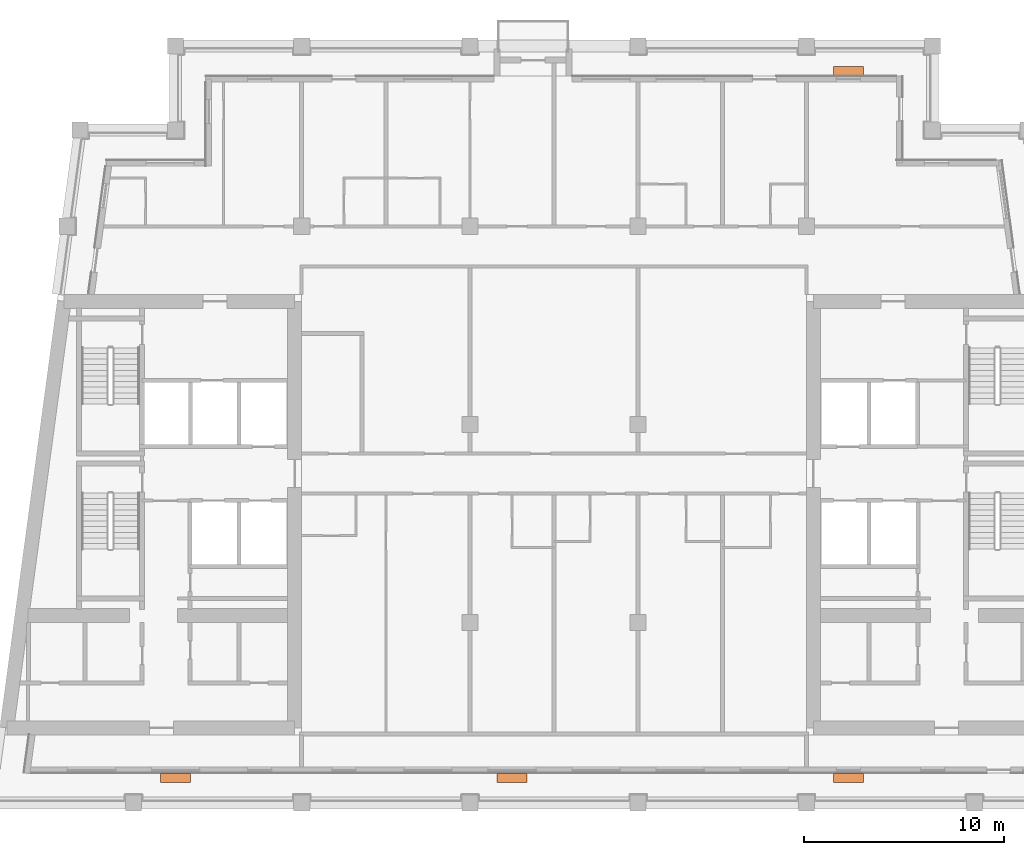
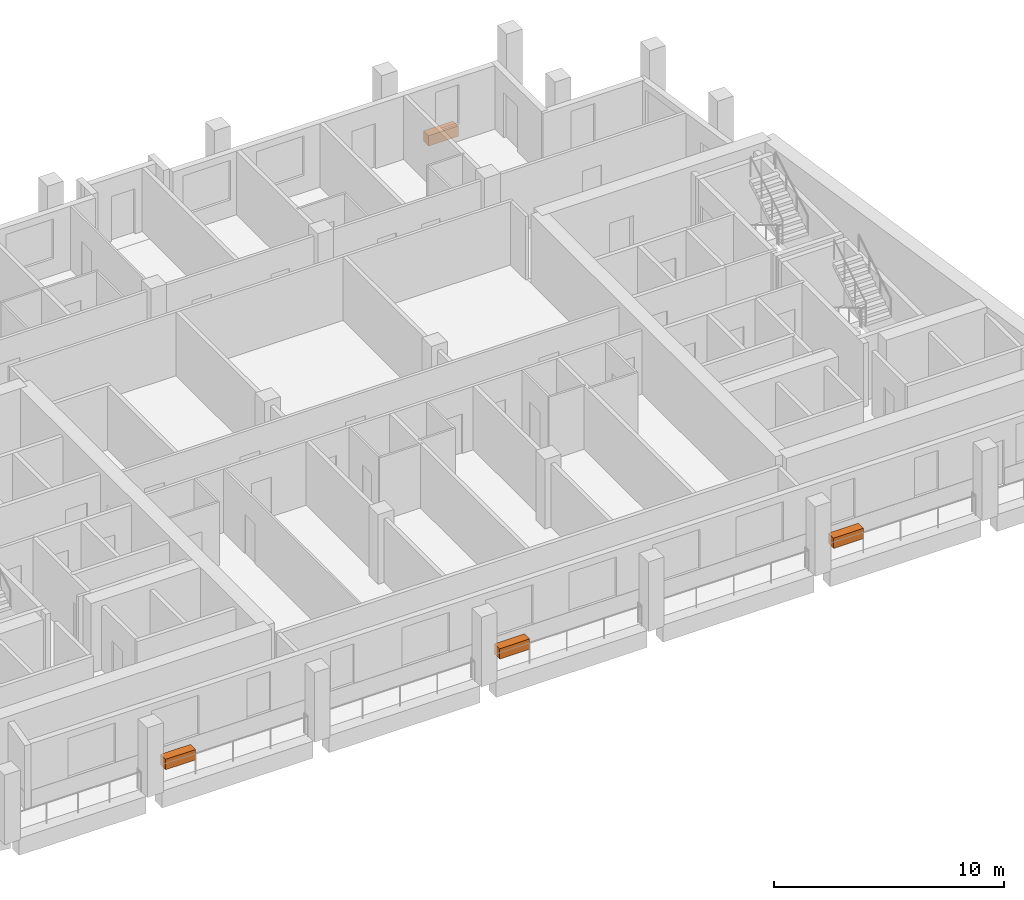
# One storey, part 14 of 14: 4 proxies.
"""IFC4 building model written with IfcOpenShell, lengths in metres."""

import ifcopenshell
import ifcopenshell.guid

model = None  # the IFC model being written
_history = None  # IfcOwnerHistory: only IFC2X3 demands one
_inside = {}  # id of a spatial element -> (the spatial element, [elements in it])
_under = {}  # id of a project, library or spatial element -> (it, [spatial elements below it])
_declared = {}  # id of a project -> (the project, [libraries it declares])
_typed = {}  # id of a type object -> (the type object, [elements of that type])
_made_of = {}  # id of a material, layer set ... -> (it, [elements and type objects made of it])


def new_model(schema):
    """Start an empty IFC model of exactly this schema.

    Asked for "IFC4X3", IfcOpenShell would pick the latest addendum, in which some entities
    have other attributes; the version numbers below select the first issue.
    IFC2X3 requires an IfcOwnerHistory on every rooted entity: one is made here for all.
    """
    global model, _history
    if schema == "IFC4X3":
        model = ifcopenshell.file(schema_version=(4, 3, 0, 0))
    else:
        model = ifcopenshell.file(schema=schema)
    _inside.clear()
    _under.clear()
    _declared.clear()
    _typed.clear()
    _made_of.clear()
    _history = None
    if model.schema == "IFC2X3":
        org = make("IfcOrganization", Name="unknown")
        user = make(
            "IfcPersonAndOrganization",
            ThePerson=make("IfcPerson", FamilyName="unknown"),
            TheOrganization=org,
        )
        app = make(
            "IfcApplication",
            ApplicationDeveloper=org,
            Version="unknown",
            ApplicationFullName="unknown",
            ApplicationIdentifier="unknown",
        )
        _history = make(
            "IfcOwnerHistory",
            OwningUser=user,
            OwningApplication=app,
            ChangeAction="ADDED",
            CreationDate=0,
        )
    return model


def make(cls, **values):
    """One entity of the class cls with the attributes given. An attribute that is None is left unset."""
    return model.create_entity(
        cls, **{name: value for name, value in values.items() if value is not None}
    )


def rooted(cls, **values):
    """An entity with a GlobalId (a new one), such as an element, a storey or a relation."""
    return make(cls, GlobalId=ifcopenshell.guid.new(), OwnerHistory=_history, **values)


def si_unit(unit_type, name, prefix=None):
    """IfcSIUnit, for example si_unit("LENGTHUNIT", "METRE", prefix="MILLI")."""
    return make("IfcSIUnit", UnitType=unit_type, Prefix=prefix, Name=name)


def assignment(units):
    """IfcUnitAssignment: the units of a project."""
    return None if units is None else make("IfcUnitAssignment", Units=units)


def point(xyz):
    """IfcCartesianPoint."""
    return None if xyz is None else make("IfcCartesianPoint", Coordinates=xyz)


def direction(xyz):
    """IfcDirection."""
    return None if xyz is None else make("IfcDirection", DirectionRatios=xyz)


def frame(location, z_axis=None, x_axis=None):
    """IfcAxis2Placement3D, a coordinate frame: its origin and axes. An axis left out is left unset."""
    return make(
        "IfcAxis2Placement3D",
        Location=point(location),
        Axis=direction(z_axis),
        RefDirection=direction(x_axis),
    )


def frame_2d(location, x_axis=None):
    """IfcAxis2Placement2D, a coordinate frame in the plane: its origin and x axis."""
    return make(
        "IfcAxis2Placement2D", Location=point(location), RefDirection=direction(x_axis)
    )


def origin():
    """The frame at (0, 0, 0) with its axes left unset."""
    return frame((0.0, 0.0, 0.0))


def origin_2d():
    """The frame at (0, 0) in the plane with its x axis left unset."""
    return frame_2d((0.0, 0.0))


def place(relative_to, where):
    """IfcLocalPlacement: puts the frame where relative to a parent placement (None: the world)."""
    return make(
        "IfcLocalPlacement", PlacementRelTo=relative_to, RelativePlacement=where
    )


def context(
    kind, dimensions, precision=None, world=None, true_north=None, identifier=None
):
    """IfcGeometricRepresentationContext, for example the 3D "Model" context."""
    return make(
        "IfcGeometricRepresentationContext",
        ContextIdentifier=identifier,
        ContextType=kind,
        CoordinateSpaceDimension=dimensions,
        Precision=precision,
        WorldCoordinateSystem=world,
        TrueNorth=true_north,
    )


def subcontext(parent, identifier, kind, view, scale=None):
    """IfcGeometricRepresentationSubContext, for example "Body" below "Model"."""
    return make(
        "IfcGeometricRepresentationSubContext",
        ContextIdentifier=identifier,
        ContextType=kind,
        ParentContext=parent,
        TargetScale=scale,
        TargetView=view,
    )


def project(units=None, contexts=None):
    """IfcProject with its units and contexts."""
    return rooted(
        "IfcProject",
        Name="project",
        RepresentationContexts=contexts,
        UnitsInContext=assignment(units),
    )


def spatial(cls, under=None, at=None, **own):
    """A site, building, storey or space (cls), placed at a placement, below another one or the project."""
    s = rooted(cls, ObjectPlacement=at, **own)
    if under is not None:
        _under.setdefault(under.id(), (under, []))[1].append(s)
    return s


def profile(cls, at=None, kind="AREA", **sizes):
    """A parametric profile (cls). Its sizes go by their IFC names, for example OverallWidth=200.0."""
    return make(cls, ProfileType=kind, Position=at, **sizes)


def rectangle(**sizes):
    """IfcRectangleProfileDef."""
    return profile("IfcRectangleProfileDef", **sizes)


def extrude(swept, where, along, depth):
    """IfcExtrudedAreaSolid: the profile swept, set in the frame where, extruded along a direction by depth."""
    return make(
        "IfcExtrudedAreaSolid",
        SweptArea=swept,
        Position=where,
        ExtrudedDirection=direction(along),
        Depth=depth,
    )


def shape(context_of_items, identifier, shape_type, items):
    """IfcShapeRepresentation: the items that make up one representation, for example the "Body"."""
    return make(
        "IfcShapeRepresentation",
        ContextOfItems=context_of_items,
        RepresentationIdentifier=identifier,
        RepresentationType=shape_type,
        Items=items,
    )


def made_of(thing, what):
    """Note that an element or type object is made of a material, layer set ...; save() writes the relation."""
    if what is not None:
        _made_of.setdefault(what.id(), (what, []))[1].append(thing)
    return thing


def element(
    cls,
    number,
    at=None,
    inside=None,
    cuts=None,
    type_object=None,
    material=None,
    context=None,
    identifier="Body",
    shape_type=None,
    held_by="IfcProductDefinitionShape",
    body=None,
    shapes=None,
    **own,
):
    """One element of the class cls, such as IfcWall. Its Tag is "e" and its number.

    at: its placement. inside: the storey or other place that contains it. cuts: it is an
    opening in that element (IfcRelVoidsElement). A single representation is given by context,
    identifier, shape_type and body (its items); several are given by shapes. held_by: the class
    of the entity that holds the representations. save() writes the other relations.
    """
    e = rooted(cls, Tag="e%d" % number, ObjectPlacement=at, **own)
    if body is not None:
        shapes = [shape(context, identifier, shape_type, body)]
    if shapes is not None:
        e.Representation = make(held_by, Representations=shapes)
    if inside is not None:
        _inside.setdefault(inside.id(), (inside, []))[1].append(e)
    if cuts is not None:
        rooted(
            "IfcRelVoidsElement", RelatingBuildingElement=cuts, RelatedOpeningElement=e
        )
    if type_object is not None:
        _typed.setdefault(type_object.id(), (type_object, []))[1].append(e)
    return made_of(e, material)


def aggregate(whole, parts):
    """IfcRelAggregates: a whole, such as a stair, and the parts it consists of."""
    return rooted("IfcRelAggregates", RelatingObject=whole, RelatedObjects=parts)


def save(model, path):
    """Write the relations noted so far, then the file.

    IfcRelAggregates (storeys below a building ...), IfcRelContainedInSpatialStructure (elements
    in a storey), IfcRelDefinesByType, IfcRelAssociatesMaterial and IfcRelDeclares: one each for
    every whole, place, type object, material and project.
    """
    for whole, parts in _under.values():
        aggregate(whole, parts)
    for where, things in _inside.values():
        rooted(
            "IfcRelContainedInSpatialStructure",
            RelatedElements=things,
            RelatingStructure=where,
        )
    for kind, things in _typed.values():
        rooted("IfcRelDefinesByType", RelatedObjects=things, RelatingType=kind)
    for what, things in _made_of.values():
        rooted("IfcRelAssociatesMaterial", RelatedObjects=things, RelatingMaterial=what)
    for by, libraries in _declared.values():
        rooted("IfcRelDeclares", RelatingContext=by, RelatedDefinitions=libraries)
    model.write(path)


model = new_model("IFC4")

# Units and contexts
model_context = context("Model", 3, precision=1e-05, world=origin(), true_north=direction((0.0, 1.0)))
body_context = subcontext(model_context, "Body", "Model", "MODEL_VIEW")
ifc_project = project(units=[si_unit("LENGTHUNIT", "METRE"), si_unit("AREAUNIT", "SQUARE_METRE"), si_unit("VOLUMEUNIT", "CUBIC_METRE"), si_unit("PLANEANGLEUNIT", "RADIAN"), si_unit("MASSUNIT", "GRAM", prefix="KILO")], contexts=[model_context])

# Site, building, storey
site_placement = place(None, origin())
site = spatial("IfcSite", under=ifc_project, at=site_placement, CompositionType="ELEMENT")
building_placement = place(site_placement, origin())
building = spatial("IfcBuilding", under=site, at=building_placement, Name="Candeia Pilgrim Tower and Theatre", CompositionType="ELEMENT")
storey_placement = place(building_placement, frame((0.0, 0.0, 273.800048828125)))
storey = spatial("IfcBuildingStorey", under=building, at=storey_placement, Name="L66", CompositionType="ELEMENT", Elevation=273.800048828125)

# Proxies
for number, where, z_axis, x_axis, name in (
    (1, (94.5, 108.2548828125, 0.0), (0.0, 0.0, 1.0), (1.0, 0.0, 0.0), "Planter"),
    (2, (111.300048828125, 108.2548828125, 0.0), (0.0, 0.0, 1.0), (1.0, 0.0, 0.0), "Planter"),
    (3, (128.10009765625, 108.2548828125, 0.0), (0.0, 0.0, 1.0), (1.0, 0.0, 0.0), "Planter"),
    (4, (128.10009765625, 143.544921875, 0.0), (0.0, 0.0, 1.0), (-1.0, 0.0, 0.0), "Planter"),
):
    element("IfcBuildingElementProxy", number, at=place(storey_placement, frame(where, z_axis=z_axis, x_axis=x_axis)), inside=storey, Name=name, ObjectType="PLANTER", PredefinedType="USERDEFINED", context=body_context, shape_type="SweptSolid", body=[
        extrude(rectangle(XDim=1.5, YDim=0.449951171875, at=origin_2d()), origin(), (0.0, 0.0, 1.0), 0.550048828125),
    ])

save(model, "model.ifc")
